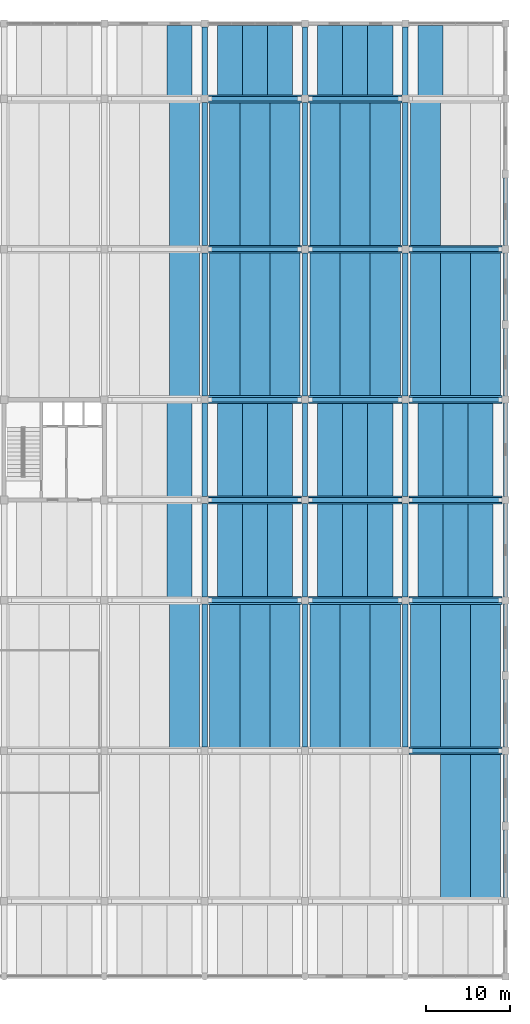
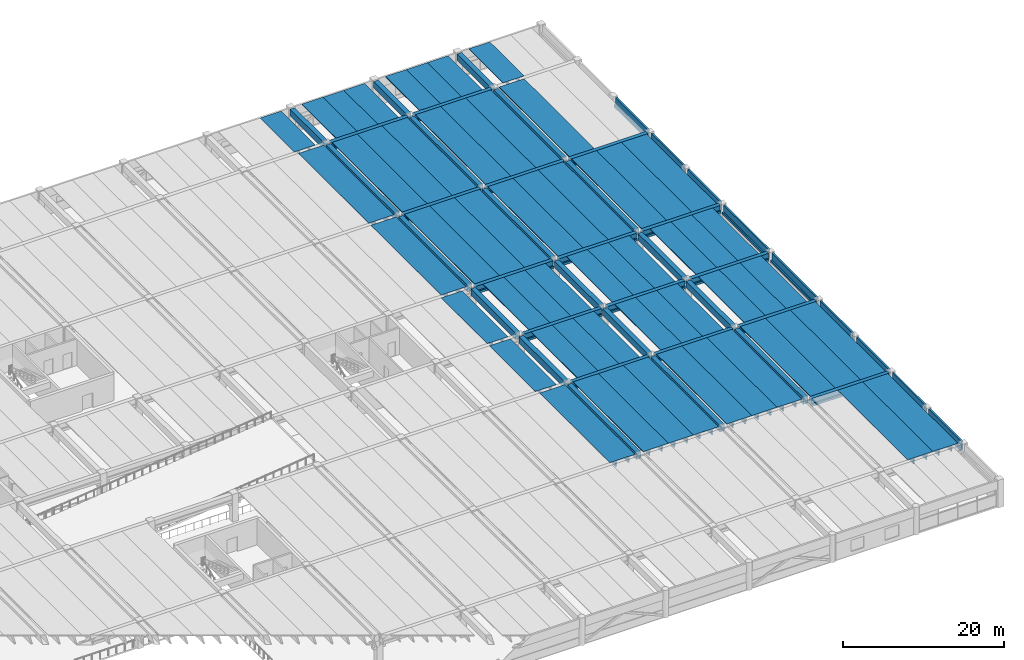
# One storey, part 26 of 50: 100 beams.
"""IFC4 building model written with IfcOpenShell, lengths in metres."""

from ifc_helpers import new_model, si_unit, direction, frame, origin, origin_2d, place, context, subcontext, project, spatial, polyline, rectangle, outline, extrude, material, material_profile, profile_set, type_object, element, save


model = new_model("IFC4")

# Units and contexts
model_context = context("Model", 3, precision=1e-05, world=origin(), true_north=direction((0.0, 1.0)))
body_context = subcontext(model_context, "Body", "Model", "MODEL_VIEW")
ifc_project = project(units=[si_unit("LENGTHUNIT", "METRE"), si_unit("AREAUNIT", "SQUARE_METRE"), si_unit("VOLUMEUNIT", "CUBIC_METRE"), si_unit("PLANEANGLEUNIT", "RADIAN"), si_unit("MASSUNIT", "GRAM", prefix="KILO")], contexts=[model_context])

# Site, building, storey
site_placement = place(None, origin())
site = spatial("IfcSite", under=ifc_project, at=site_placement, CompositionType="ELEMENT")
building_placement = place(site_placement, origin())
building = spatial("IfcBuilding", under=site, at=building_placement, Name="Girod Span Mobility Hub", CompositionType="ELEMENT")
storey_placement = place(building_placement, frame((0.0, 0.0, 5.39990234375)))
storey = spatial("IfcBuildingStorey", under=building, at=storey_placement, Name="L01", CompositionType="ELEMENT", Elevation=5.39990234375)

# Beams
ifc_material_1 = material(Name="Concrete C50/60", Category="concrete")
ifc_material_profile_1 = material_profile(ifc_material_1, outline(polyline([(-1.5, 0.35009765625), (-1.5, 0.2548828125), (-0.840087890625, 0.2548828125), (-0.81494140625, -0.35009765625), (-0.68505859375, -0.35009765625), (-0.659912109375, 0.2548828125), (0.659912109375, 0.2548828125), (0.68505859375, -0.35009765625), (0.81494140625, -0.35009765625), (0.840087890625, 0.2548828125), (1.5, 0.2548828125), (1.5, 0.35009765625), (-1.5, 0.35009765625)])), Name="DT-3000X700")
ifc_profile_set_1 = profile_set([ifc_material_profile_1], Name="Concrete C50/60")
beam_type_1 = type_object("IfcBeamType", Name="BM-DT-3000X700", PredefinedType="JOIST", material=ifc_profile_set_1)
for number, where, z_axis, x_axis, name in (
    (1, (129.0, 45.27197265625, 3.690185546875), (0.0, 1.0, 0.0), (-1.0, 0.0, 0.0), "Double-Tee Deck 11/D-3 L01"),
    (2, (129.0, 57.27197265625, 3.690185546875), (0.0, 1.0, 0.0), (-1.0, 0.0, 0.0), "Double-Tee Deck 11/E-3 L01"),
):
    element("IfcBeam", number, at=place(storey_placement, frame(where, z_axis=z_axis, x_axis=x_axis)), inside=storey, type_object=beam_type_1, Name=name, PredefinedType="JOIST", context=body_context, shape_type="SweptSolid", body=[
        extrude(outline(polyline([(-1.5, 0.35009765625), (-1.5, 0.2548828125), (-0.840087890625, 0.2548828125), (-0.81494140625, -0.35009765625), (-0.68505859375, -0.35009765625), (-0.659912109375, 0.2548828125), (0.659912109375, 0.2548828125), (0.68505859375, -0.35009765625), (0.81494140625, -0.35009765625), (0.840087890625, 0.2548828125), (1.5, 0.2548828125), (1.5, 0.35009765625), (-1.5, 0.35009765625)])), origin(), (0.0, 0.0, 1.0), 11.4560546875),
    ])
beam_1_placement = place(storey_placement, frame((129.0, 105.27197265625, 3.690185546875), z_axis=(0.0, 1.0, 0.0), x_axis=(-1.0, 0.0, 0.0)))
element("IfcBeam", 3, at=beam_1_placement, inside=storey, type_object=beam_type_1, Name="Double-Tee Deck 11/H-3 L01", PredefinedType="JOIST", context=body_context, shape_type="SweptSolid", body=[
    extrude(outline(polyline([(-1.5, 0.35009765625), (-1.5, 0.2548828125), (-0.840087890625, 0.2548828125), (-0.81494140625, -0.35009765625), (-0.68505859375, -0.35009765625), (-0.659912109375, 0.2548828125), (0.659912109375, 0.2548828125), (0.68505859375, -0.35009765625), (0.81494140625, -0.35009765625), (0.840087890625, 0.2548828125), (1.5, 0.2548828125), (1.5, 0.35009765625), (-1.5, 0.35009765625)])), origin(), (0.0, 0.0, 1.0), 8.506103515625),
])
for number, where, z_axis, x_axis, name in (
    (4, (135.0, 45.27197265625, 3.690185546875), (0.0, 1.0, 0.0), (-1.0, 0.0, 0.0), "Double-Tee Deck 12/D-1 L01"),
    (5, (138.0, 45.27197265625, 3.690185546875), (0.0, 1.0, 0.0), (-1.0, 0.0, 0.0), "Double-Tee Deck 12/D-2 L01"),
    (6, (141.0, 45.27197265625, 3.690185546875), (0.0, 1.0, 0.0), (-1.0, 0.0, 0.0), "Double-Tee Deck 12/D-3 L01"),
    (7, (135.0, 57.27197265625, 3.690185546875), (0.0, 1.0, 0.0), (-1.0, 0.0, 0.0), "Double-Tee Deck 12/E-1 L01"),
    (8, (138.0, 57.27197265625, 3.690185546875), (0.0, 1.0, 0.0), (-1.0, 0.0, 0.0), "Double-Tee Deck 12/E-2 L01"),
    (9, (141.0, 57.27197265625, 3.690185546875), (0.0, 1.0, 0.0), (-1.0, 0.0, 0.0), "Double-Tee Deck 12/E-3 L01"),
):
    element("IfcBeam", number, at=place(storey_placement, frame(where, z_axis=z_axis, x_axis=x_axis)), inside=storey, type_object=beam_type_1, Name=name, PredefinedType="JOIST", context=body_context, shape_type="SweptSolid", body=[
        extrude(outline(polyline([(-1.5, 0.35009765625), (-1.5, 0.2548828125), (-0.840087890625, 0.2548828125), (-0.81494140625, -0.35009765625), (-0.68505859375, -0.35009765625), (-0.659912109375, 0.2548828125), (0.659912109375, 0.2548828125), (0.68505859375, -0.35009765625), (0.81494140625, -0.35009765625), (0.840087890625, 0.2548828125), (1.5, 0.2548828125), (1.5, 0.35009765625), (-1.5, 0.35009765625)])), origin(), (0.0, 0.0, 1.0), 11.4560546875),
    ])
for number, where, z_axis, x_axis, name in (
    (10, (135.0, 105.27197265625, 3.690185546875), (0.0, 1.0, 0.0), (-1.0, 0.0, 0.0), "Double-Tee Deck 12/H-1 L01"),
    (11, (138.0, 105.27197265625, 3.690185546875), (0.0, 1.0, 0.0), (-1.0, 0.0, 0.0), "Double-Tee Deck 12/H-2 L01"),
    (12, (141.0, 105.27197265625, 3.690185546875), (0.0, 1.0, 0.0), (-1.0, 0.0, 0.0), "Double-Tee Deck 12/H-3 L01"),
):
    element("IfcBeam", number, at=place(storey_placement, frame(where, z_axis=z_axis, x_axis=x_axis)), inside=storey, type_object=beam_type_1, Name=name, PredefinedType="JOIST", context=body_context, shape_type="SweptSolid", body=[
        extrude(outline(polyline([(-1.5, 0.35009765625), (-1.5, 0.2548828125), (-0.840087890625, 0.2548828125), (-0.81494140625, -0.35009765625), (-0.68505859375, -0.35009765625), (-0.659912109375, 0.2548828125), (0.659912109375, 0.2548828125), (0.68505859375, -0.35009765625), (0.81494140625, -0.35009765625), (0.840087890625, 0.2548828125), (1.5, 0.2548828125), (1.5, 0.35009765625), (-1.5, 0.35009765625)])), origin(), (0.0, 0.0, 1.0), 8.506103515625),
    ])
for number, where, z_axis, x_axis, name in (
    (13, (147.0, 45.27197265625, 3.690185546875), (0.0, 1.0, 0.0), (-1.0, 0.0, 0.0), "Double-Tee Deck 13/D-1 L01"),
    (14, (150.0, 45.27197265625, 3.690185546875), (0.0, 1.0, 0.0), (-1.0, 0.0, 0.0), "Double-Tee Deck 13/D-2 L01"),
    (15, (153.0, 45.27197265625, 3.690185546875), (0.0, 1.0, 0.0), (-1.0, 0.0, 0.0), "Double-Tee Deck 13/D-3 L01"),
    (16, (147.0, 57.27197265625, 3.690185546875), (0.0, 1.0, 0.0), (-1.0, 0.0, 0.0), "Double-Tee Deck 13/E-1 L01"),
    (17, (150.0, 57.27197265625, 3.690185546875), (0.0, 1.0, 0.0), (-1.0, 0.0, 0.0), "Double-Tee Deck 13/E-2 L01"),
    (18, (153.0, 57.27197265625, 3.690185546875), (0.0, 1.0, 0.0), (-1.0, 0.0, 0.0), "Double-Tee Deck 13/E-3 L01"),
):
    element("IfcBeam", number, at=place(storey_placement, frame(where, z_axis=z_axis, x_axis=x_axis)), inside=storey, type_object=beam_type_1, Name=name, PredefinedType="JOIST", context=body_context, shape_type="SweptSolid", body=[
        extrude(outline(polyline([(-1.5, 0.35009765625), (-1.5, 0.2548828125), (-0.840087890625, 0.2548828125), (-0.81494140625, -0.35009765625), (-0.68505859375, -0.35009765625), (-0.659912109375, 0.2548828125), (0.659912109375, 0.2548828125), (0.68505859375, -0.35009765625), (0.81494140625, -0.35009765625), (0.840087890625, 0.2548828125), (1.5, 0.2548828125), (1.5, 0.35009765625), (-1.5, 0.35009765625)])), origin(), (0.0, 0.0, 1.0), 11.4560546875),
    ])
for number, where, z_axis, x_axis, name in (
    (19, (147.0, 105.27197265625, 3.690185546875), (0.0, 1.0, 0.0), (-1.0, 0.0, 0.0), "Double-Tee Deck 13/H-1 L01"),
    (20, (150.0, 105.27197265625, 3.690185546875), (0.0, 1.0, 0.0), (-1.0, 0.0, 0.0), "Double-Tee Deck 13/H-2 L01"),
    (21, (153.0, 105.27197265625, 3.690185546875), (0.0, 1.0, 0.0), (-1.0, 0.0, 0.0), "Double-Tee Deck 13/H-3 L01"),
):
    element("IfcBeam", number, at=place(storey_placement, frame(where, z_axis=z_axis, x_axis=x_axis)), inside=storey, type_object=beam_type_1, Name=name, PredefinedType="JOIST", context=body_context, shape_type="SweptSolid", body=[
        extrude(outline(polyline([(-1.5, 0.35009765625), (-1.5, 0.2548828125), (-0.840087890625, 0.2548828125), (-0.81494140625, -0.35009765625), (-0.68505859375, -0.35009765625), (-0.659912109375, 0.2548828125), (0.659912109375, 0.2548828125), (0.68505859375, -0.35009765625), (0.81494140625, -0.35009765625), (0.840087890625, 0.2548828125), (1.5, 0.2548828125), (1.5, 0.35009765625), (-1.5, 0.35009765625)])), origin(), (0.0, 0.0, 1.0), 8.506103515625),
    ])
for number, where, z_axis, x_axis, name in (
    (22, (159.0, 45.27197265625, 3.690185546875), (0.0, 1.0, 0.0), (-1.0, 0.0, 0.0), "Double-Tee Deck 14/D-1 L01"),
    (23, (162.0, 45.27197265625, 3.690185546875), (0.0, 1.0, 0.0), (-1.0, 0.0, 0.0), "Double-Tee Deck 14/D-2 L01"),
    (24, (165.0, 45.27197265625, 3.690185546875), (0.0, 1.0, 0.0), (-1.0, 0.0, 0.0), "Double-Tee Deck 14/D-3 L01"),
    (25, (159.0, 57.27197265625, 3.690185546875), (0.0, 1.0, 0.0), (-1.0, 0.0, 0.0), "Double-Tee Deck 14/E-1 L01"),
    (26, (162.0, 57.27197265625, 3.690185546875), (0.0, 1.0, 0.0), (-1.0, 0.0, 0.0), "Double-Tee Deck 14/E-2 L01"),
    (27, (165.0, 57.27197265625, 3.690185546875), (0.0, 1.0, 0.0), (-1.0, 0.0, 0.0), "Double-Tee Deck 14/E-3 L01"),
):
    element("IfcBeam", number, at=place(storey_placement, frame(where, z_axis=z_axis, x_axis=x_axis)), inside=storey, type_object=beam_type_1, Name=name, PredefinedType="JOIST", context=body_context, shape_type="SweptSolid", body=[
        extrude(outline(polyline([(-1.5, 0.35009765625), (-1.5, 0.2548828125), (-0.840087890625, 0.2548828125), (-0.81494140625, -0.35009765625), (-0.68505859375, -0.35009765625), (-0.659912109375, 0.2548828125), (0.659912109375, 0.2548828125), (0.68505859375, -0.35009765625), (0.81494140625, -0.35009765625), (0.840087890625, 0.2548828125), (1.5, 0.2548828125), (1.5, 0.35009765625), (-1.5, 0.35009765625)])), origin(), (0.0, 0.0, 1.0), 11.4560546875),
    ])
beam_2_placement = place(storey_placement, frame((159.0, 105.27197265625, 3.690185546875), z_axis=(0.0, 1.0, 0.0), x_axis=(-1.0, 0.0, 0.0)))
element("IfcBeam", 28, at=beam_2_placement, inside=storey, type_object=beam_type_1, Name="Double-Tee Deck 14/H-1 L01", PredefinedType="JOIST", context=body_context, shape_type="SweptSolid", body=[
    extrude(outline(polyline([(-1.5, 0.35009765625), (-1.5, 0.2548828125), (-0.840087890625, 0.2548828125), (-0.81494140625, -0.35009765625), (-0.68505859375, -0.35009765625), (-0.659912109375, 0.2548828125), (0.659912109375, 0.2548828125), (0.68505859375, -0.35009765625), (0.81494140625, -0.35009765625), (0.840087890625, 0.2548828125), (1.5, 0.2548828125), (1.5, 0.35009765625), (-1.5, 0.35009765625)])), origin(), (0.0, 0.0, 1.0), 8.506103515625),
])
ifc_material_2 = material(Name="Concrete C50/60", Category="concrete")
ifc_material_profile_2 = material_profile(ifc_material_2, outline(polyline([(-1.800048828125, 0.47509765625), (-1.800048828125, 0.364990234375), (-1.010009765625, 0.364990234375), (-0.97509765625, -0.47509765625), (-0.824951171875, -0.47509765625), (-0.7900390625, 0.364990234375), (0.7900390625, 0.364990234375), (0.824951171875, -0.47509765625), (0.97509765625, -0.47509765625), (1.010009765625, 0.364990234375), (1.800048828125, 0.364990234375), (1.800048828125, 0.47509765625), (-1.800048828125, 0.47509765625)])), Name="DT-3600X950")
ifc_profile_set_2 = profile_set([ifc_material_profile_2], Name="Concrete C50/60")
beam_type_2 = type_object("IfcBeamType", Name="BM-DT-3600X950", PredefinedType="JOIST", material=ifc_profile_set_2)
for number, where, z_axis, x_axis, name in (
    (29, (129.60009765625, 27.27197265625, 3.565185546875), (0.0, 1.0, 0.0), (-1.0, 0.0, 0.0), "Double-Tee Deck 11/C-3 L01"),
    (30, (129.60009765625, 69.27197265625, 3.565185546875), (0.0, 1.0, 0.0), (-1.0, 0.0, 0.0), "Double-Tee Deck 11/F-3 L01"),
    (31, (129.60009765625, 87.27197265625, 3.565185546875), (0.0, 1.0, 0.0), (-1.0, 0.0, 0.0), "Double-Tee Deck 11/G-3 L01"),
    (32, (134.39990234375, 27.27197265625, 3.565185546875), (0.0, 1.0, 0.0), (-1.0, 0.0, 0.0), "Double-Tee Deck 12/C-1 L01"),
    (33, (138.0, 27.27197265625, 3.565185546875), (0.0, 1.0, 0.0), (-1.0, 0.0, 0.0), "Double-Tee Deck 12/C-2 L01"),
    (34, (141.60009765625, 27.27197265625, 3.565185546875), (0.0, 1.0, 0.0), (-1.0, 0.0, 0.0), "Double-Tee Deck 12/C-3 L01"),
    (35, (134.39990234375, 69.27197265625, 3.565185546875), (0.0, 1.0, 0.0), (-1.0, 0.0, 0.0), "Double-Tee Deck 12/F-1 L01"),
    (36, (138.0, 69.27197265625, 3.565185546875), (0.0, 1.0, 0.0), (-1.0, 0.0, 0.0), "Double-Tee Deck 12/F-2 L01"),
    (37, (141.60009765625, 69.27197265625, 3.565185546875), (0.0, 1.0, 0.0), (-1.0, 0.0, 0.0), "Double-Tee Deck 12/F-3 L01"),
    (38, (134.39990234375, 87.27197265625, 3.565185546875), (0.0, 1.0, 0.0), (-1.0, 0.0, 0.0), "Double-Tee Deck 12/G-1 L01"),
    (39, (138.0, 87.27197265625, 3.565185546875), (0.0, 1.0, 0.0), (-1.0, 0.0, 0.0), "Double-Tee Deck 12/G-2 L01"),
    (40, (141.60009765625, 87.27197265625, 3.565185546875), (0.0, 1.0, 0.0), (-1.0, 0.0, 0.0), "Double-Tee Deck 12/G-3 L01"),
    (41, (146.39990234375, 27.27197265625, 3.565185546875), (0.0, 1.0, 0.0), (-1.0, 0.0, 0.0), "Double-Tee Deck 13/C-1 L01"),
    (42, (150.0, 27.27197265625, 3.565185546875), (0.0, 1.0, 0.0), (-1.0, 0.0, 0.0), "Double-Tee Deck 13/C-2 L01"),
    (43, (153.60009765625, 27.27197265625, 3.565185546875), (0.0, 1.0, 0.0), (-1.0, 0.0, 0.0), "Double-Tee Deck 13/C-3 L01"),
    (44, (146.39990234375, 69.27197265625, 3.565185546875), (0.0, 1.0, 0.0), (-1.0, 0.0, 0.0), "Double-Tee Deck 13/F-1 L01"),
    (45, (150.0, 69.27197265625, 3.565185546875), (0.0, 1.0, 0.0), (-1.0, 0.0, 0.0), "Double-Tee Deck 13/F-2 L01"),
    (46, (153.60009765625, 69.27197265625, 3.565185546875), (0.0, 1.0, 0.0), (-1.0, 0.0, 0.0), "Double-Tee Deck 13/F-3 L01"),
    (47, (146.39990234375, 87.27197265625, 3.565185546875), (0.0, 1.0, 0.0), (-1.0, 0.0, 0.0), "Double-Tee Deck 13/G-1 L01"),
    (48, (150.0, 87.27197265625, 3.565185546875), (0.0, 1.0, 0.0), (-1.0, 0.0, 0.0), "Double-Tee Deck 13/G-2 L01"),
    (49, (153.60009765625, 87.27197265625, 3.565185546875), (0.0, 1.0, 0.0), (-1.0, 0.0, 0.0), "Double-Tee Deck 13/G-3 L01"),
    (50, (162.0, 9.27197265625, 3.565185546875), (0.0, 1.0, 0.0), (-1.0, 0.0, 0.0), "Double-Tee Deck 14/B-2 L01"),
    (51, (165.60009765625, 9.27197265625, 3.565185546875), (0.0, 1.0, 0.0), (-1.0, 0.0, 0.0), "Double-Tee Deck 14/B-3 L01"),
    (52, (158.39990234375, 27.27197265625, 3.565185546875), (0.0, 1.0, 0.0), (-1.0, 0.0, 0.0), "Double-Tee Deck 14/C-1 L01"),
    (53, (162.0, 27.27197265625, 3.565185546875), (0.0, 1.0, 0.0), (-1.0, 0.0, 0.0), "Double-Tee Deck 14/C-2 L01"),
    (54, (165.60009765625, 27.27197265625, 3.565185546875), (0.0, 1.0, 0.0), (-1.0, 0.0, 0.0), "Double-Tee Deck 14/C-3 L01"),
    (55, (158.39990234375, 69.27197265625, 3.565185546875), (0.0, 1.0, 0.0), (-1.0, 0.0, 0.0), "Double-Tee Deck 14/F-1 L01"),
    (56, (162.0, 69.27197265625, 3.565185546875), (0.0, 1.0, 0.0), (-1.0, 0.0, 0.0), "Double-Tee Deck 14/F-2 L01"),
    (57, (165.60009765625, 69.27197265625, 3.565185546875), (0.0, 1.0, 0.0), (-1.0, 0.0, 0.0), "Double-Tee Deck 14/F-3 L01"),
    (58, (158.39990234375, 87.27197265625, 3.565185546875), (0.0, 1.0, 0.0), (-1.0, 0.0, 0.0), "Double-Tee Deck 14/G-1 L01"),
):
    element("IfcBeam", number, at=place(storey_placement, frame(where, z_axis=z_axis, x_axis=x_axis)), inside=storey, type_object=beam_type_2, Name=name, PredefinedType="JOIST", context=body_context, shape_type="SweptSolid", body=[
        extrude(outline(polyline([(-1.800048828125, 0.47509765625), (-1.800048828125, 0.364990234375), (-1.010009765625, 0.364990234375), (-0.97509765625, -0.47509765625), (-0.824951171875, -0.47509765625), (-0.7900390625, 0.364990234375), (0.7900390625, 0.364990234375), (0.824951171875, -0.47509765625), (0.97509765625, -0.47509765625), (1.010009765625, 0.364990234375), (1.800048828125, 0.364990234375), (1.800048828125, 0.47509765625), (-1.800048828125, 0.47509765625)])), origin(), (0.0, 0.0, 1.0), 17.4560546875),
    ])
ifc_material_3 = material(Name="Concrete C50/60", Category="concrete")
ifc_material_profile_3 = material_profile(ifc_material_3, outline(polyline([(-0.47509765625, -0.52490234375), (0.47509765625, -0.52490234375), (0.47509765625, -0.175048828125), (0.27490234375, -0.175048828125), (0.27490234375, 0.52490234375), (-0.27490234375, 0.52490234375), (-0.27490234375, -0.175048828125), (-0.47509765625, -0.175048828125), (-0.47509765625, -0.52490234375)])), Name="IT-950X1050")
ifc_profile_set_3 = profile_set([ifc_material_profile_3], Name="Concrete C50/60")
beam_type_3 = type_object("IfcBeamType", Name="BM-IT-950X1050", PredefinedType="T_BEAM", material=ifc_profile_set_3)
for number, where, z_axis, x_axis, name in (
    (59, (156.422119140625, 27.0, 3.51513671875), (1.0, 0.0, 0.0), (0.0, 1.0, 0.0), "Girder 14-15/C L01"),
    (60, (132.422119140625, 45.0, 3.51513671875), (1.0, 0.0, 0.0), (0.0, 1.0, 0.0), "Girder 12-13/D L01"),
    (61, (144.422119140625, 45.0, 3.51513671875), (1.0, 0.0, 0.0), (0.0, 1.0, 0.0), "Girder 13-14/D L01"),
    (62, (156.422119140625, 45.0, 3.51513671875), (1.0, 0.0, 0.0), (0.0, 1.0, 0.0), "Girder 14-15/D L01"),
    (63, (132.422119140625, 57.0, 3.51513671875), (1.0, 0.0, 0.0), (0.0, 1.0, 0.0), "Girder 12-13/E L01"),
    (64, (144.422119140625, 57.0, 3.51513671875), (1.0, 0.0, 0.0), (0.0, 1.0, 0.0), "Girder 13-14/E L01"),
    (65, (156.422119140625, 57.0, 3.51513671875), (1.0, 0.0, 0.0), (0.0, 1.0, 0.0), "Girder 14-15/E L01"),
    (66, (132.422119140625, 69.0, 3.51513671875), (1.0, 0.0, 0.0), (0.0, 1.0, 0.0), "Girder 12-13/F L01"),
    (67, (144.422119140625, 69.0, 3.51513671875), (1.0, 0.0, 0.0), (0.0, 1.0, 0.0), "Girder 13-14/F L01"),
    (68, (156.422119140625, 69.0, 3.51513671875), (1.0, 0.0, 0.0), (0.0, 1.0, 0.0), "Girder 14-15/F L01"),
    (69, (132.422119140625, 87.0, 3.51513671875), (1.0, 0.0, 0.0), (0.0, 1.0, 0.0), "Girder 12-13/G L01"),
    (70, (144.422119140625, 87.0, 3.51513671875), (1.0, 0.0, 0.0), (0.0, 1.0, 0.0), "Girder 13-14/G L01"),
    (71, (156.422119140625, 87.0, 3.51513671875), (1.0, 0.0, 0.0), (0.0, 1.0, 0.0), "Girder 14-15/G L01"),
    (72, (132.422119140625, 105.0, 3.51513671875), (1.0, 0.0, 0.0), (0.0, 1.0, 0.0), "Girder 12-13/H L01"),
    (73, (144.422119140625, 105.0, 3.51513671875), (1.0, 0.0, 0.0), (0.0, 1.0, 0.0), "Girder 13-14/H L01"),
):
    element("IfcBeam", number, at=place(storey_placement, frame(where, z_axis=z_axis, x_axis=x_axis)), inside=storey, type_object=beam_type_3, Name=name, PredefinedType="T_BEAM", context=body_context, shape_type="SweptSolid", body=[
        extrude(outline(polyline([(-0.47509765625, -0.52490234375), (0.47509765625, -0.52490234375), (0.47509765625, -0.175048828125), (0.27490234375, -0.175048828125), (0.27490234375, 0.52490234375), (-0.27490234375, 0.52490234375), (-0.27490234375, -0.175048828125), (-0.47509765625, -0.175048828125), (-0.47509765625, -0.52490234375)])), origin(), (0.0, 0.0, 1.0), 11.15576171875),
    ])
ifc_material_4 = material(Name="Concrete C40/50", Category="concrete")
ifc_material_profile_4 = material_profile(ifc_material_4, outline(polyline([(-0.22509765625, -0.675048828125), (0.22509765625, -0.675048828125), (0.22509765625, -0.324951171875), (0.02490234375, -0.324951171875), (0.02490234375, 0.675048828125), (-0.22509765625, 0.675048828125), (-0.22509765625, -0.675048828125)])), Name="SP-450X1350")
ifc_profile_set_4 = profile_set([ifc_material_profile_4], Name="Concrete C40/50")
beam_type_4 = type_object("IfcBeamType", Name="BM-SP-450X1350", PredefinedType="SPANDREL", material=ifc_profile_set_4)
for number, where, z_axis, x_axis, name in (
    (74, (168.0, 9.422119140625, 3.364990234375), (0.0, 1.0, 0.0), (-1.0, 0.0, 0.0), "Perimeter Spandrel 15/B-S L01"),
    (75, (168.0, 18.471923828125, 3.364990234375), (0.0, 1.0, 0.0), (-1.0, 0.0, 0.0), "Perimeter Spandrel 15/B-N L01"),
    (76, (168.0, 27.422119140625, 3.364990234375), (0.0, 1.0, 0.0), (-1.0, 0.0, 0.0), "Perimeter Spandrel 15/C-S L01"),
    (77, (168.0, 36.471923828125, 3.364990234375), (0.0, 1.0, 0.0), (-1.0, 0.0, 0.0), "Perimeter Spandrel 15/C-N L01"),
):
    element("IfcBeam", number, at=place(storey_placement, frame(where, z_axis=z_axis, x_axis=x_axis)), inside=storey, type_object=beam_type_4, Name=name, PredefinedType="SPANDREL", context=body_context, shape_type="SweptSolid", body=[
        extrude(outline(polyline([(-0.22509765625, -0.675048828125), (0.22509765625, -0.675048828125), (0.22509765625, -0.324951171875), (0.02490234375, -0.324951171875), (0.02490234375, 0.675048828125), (-0.22509765625, 0.675048828125), (-0.22509765625, -0.675048828125)])), origin(), (0.0, 0.0, 1.0), 8.10595703125),
    ])
for number, where, z_axis, x_axis, name in (
    (78, (168.0, 45.422119140625, 3.364990234375), (0.0, 1.0, 0.0), (-1.0, 0.0, 0.0), "Tie Girder 15/D-E L01"),
    (79, (168.0, 57.422119140625, 3.364990234375), (0.0, 1.0, 0.0), (-1.0, 0.0, 0.0), "Tie Girder 15/E-F L01"),
):
    element("IfcBeam", number, at=place(storey_placement, frame(where, z_axis=z_axis, x_axis=x_axis)), inside=storey, type_object=beam_type_4, Name=name, PredefinedType="SPANDREL", context=body_context, shape_type="SweptSolid", body=[
        extrude(outline(polyline([(-0.22509765625, -0.675048828125), (0.22509765625, -0.675048828125), (0.22509765625, -0.324951171875), (0.02490234375, -0.324951171875), (0.02490234375, 0.675048828125), (-0.22509765625, 0.675048828125), (-0.22509765625, -0.675048828125)])), origin(), (0.0, 0.0, 1.0), 11.15576171875),
    ])
for number, where, z_axis, x_axis, name in (
    (80, (168.0, 69.422119140625, 3.364990234375), (0.0, 1.0, 0.0), (-1.0, 0.0, 0.0), "Perimeter Spandrel 15/F-S L01"),
    (81, (168.0, 78.471923828125, 3.364990234375), (0.0, 1.0, 0.0), (-1.0, 0.0, 0.0), "Perimeter Spandrel 15/F-N L01"),
    (82, (168.0, 87.422119140625, 3.364990234375), (0.0, 1.0, 0.0), (-1.0, 0.0, 0.0), "Perimeter Spandrel 15/G-S L01"),
):
    element("IfcBeam", number, at=place(storey_placement, frame(where, z_axis=z_axis, x_axis=x_axis)), inside=storey, type_object=beam_type_4, Name=name, PredefinedType="SPANDREL", context=body_context, shape_type="SweptSolid", body=[
        extrude(outline(polyline([(-0.22509765625, -0.675048828125), (0.22509765625, -0.675048828125), (0.22509765625, -0.324951171875), (0.02490234375, -0.324951171875), (0.02490234375, 0.675048828125), (-0.22509765625, 0.675048828125), (-0.22509765625, -0.675048828125)])), origin(), (0.0, 0.0, 1.0), 8.10595703125),
    ])
ifc_material_5 = material(Name="Concrete C40/50", Category="concrete")
ifc_material_profile_5 = material_profile(ifc_material_5, rectangle(XDim=0.64990234375, YDim=1.0, at=origin_2d()), Name="TG-650X1000")
ifc_profile_set_5 = profile_set([ifc_material_profile_5], Name="Concrete C40/50")
beam_type_5 = type_object("IfcBeamType", Name="BM-TG-650X1000", PredefinedType="T_BEAM", material=ifc_profile_set_5)
beam_3_placement = place(storey_placement, frame((132.0, 27.422119140625, 3.5400390625), z_axis=(0.0, 1.0, 0.0), x_axis=(-1.0, 0.0, 0.0)))
element("IfcBeam", 83, at=beam_3_placement, inside=storey, type_object=beam_type_5, Name="Tie Girder 12/C-D L01", PredefinedType="T_BEAM", context=body_context, shape_type="SweptSolid", body=[
    extrude(rectangle(XDim=0.64990234375, YDim=1.0, at=origin_2d()), origin(), (0.0, 0.0, 1.0), 17.15576171875),
])
for number, where, z_axis, x_axis, name in (
    (84, (132.0, 45.422119140625, 3.5400390625), (0.0, 1.0, 0.0), (-1.0, 0.0, 0.0), "Tie Girder 12/D-E L01"),
    (85, (132.0, 57.422119140625, 3.5400390625), (0.0, 1.0, 0.0), (-1.0, 0.0, 0.0), "Tie Girder 12/E-F L01"),
):
    element("IfcBeam", number, at=place(storey_placement, frame(where, z_axis=z_axis, x_axis=x_axis)), inside=storey, type_object=beam_type_5, Name=name, PredefinedType="T_BEAM", context=body_context, shape_type="SweptSolid", body=[
        extrude(rectangle(XDim=0.64990234375, YDim=1.0, at=origin_2d()), origin(), (0.0, 0.0, 1.0), 11.15576171875),
    ])
for number, where, z_axis, x_axis, name in (
    (86, (132.0, 69.422119140625, 3.5400390625), (0.0, 1.0, 0.0), (-1.0, 0.0, 0.0), "Tie Girder 12/F-G L01"),
    (87, (132.0, 87.422119140625, 3.5400390625), (0.0, 1.0, 0.0), (-1.0, 0.0, 0.0), "Tie Girder 12/G-H L01"),
):
    element("IfcBeam", number, at=place(storey_placement, frame(where, z_axis=z_axis, x_axis=x_axis)), inside=storey, type_object=beam_type_5, Name=name, PredefinedType="T_BEAM", context=body_context, shape_type="SweptSolid", body=[
        extrude(rectangle(XDim=0.64990234375, YDim=1.0, at=origin_2d()), origin(), (0.0, 0.0, 1.0), 17.15576171875),
    ])
beam_4_placement = place(storey_placement, frame((132.0, 105.422119140625, 3.5400390625), z_axis=(0.0, 1.0, 0.0), x_axis=(-1.0, 0.0, 0.0)))
element("IfcBeam", 88, at=beam_4_placement, inside=storey, type_object=beam_type_5, Name="Tie Girder 12/H-J L01", PredefinedType="T_BEAM", context=body_context, shape_type="SweptSolid", body=[
    extrude(rectangle(XDim=0.64990234375, YDim=1.0, at=origin_2d()), origin(), (0.0, 0.0, 1.0), 8.15576171875),
])
beam_5_placement = place(storey_placement, frame((144.0, 27.422119140625, 3.5400390625), z_axis=(0.0, 1.0, 0.0), x_axis=(-1.0, 0.0, 0.0)))
element("IfcBeam", 89, at=beam_5_placement, inside=storey, type_object=beam_type_5, Name="Tie Girder 13/C-D L01", PredefinedType="T_BEAM", context=body_context, shape_type="SweptSolid", body=[
    extrude(rectangle(XDim=0.64990234375, YDim=1.0, at=origin_2d()), origin(), (0.0, 0.0, 1.0), 17.15576171875),
])
for number, where, z_axis, x_axis, name in (
    (90, (144.0, 45.422119140625, 3.5400390625), (0.0, 1.0, 0.0), (-1.0, 0.0, 0.0), "Tie Girder 13/D-E L01"),
    (91, (144.0, 57.422119140625, 3.5400390625), (0.0, 1.0, 0.0), (-1.0, 0.0, 0.0), "Tie Girder 13/E-F L01"),
):
    element("IfcBeam", number, at=place(storey_placement, frame(where, z_axis=z_axis, x_axis=x_axis)), inside=storey, type_object=beam_type_5, Name=name, PredefinedType="T_BEAM", context=body_context, shape_type="SweptSolid", body=[
        extrude(rectangle(XDim=0.64990234375, YDim=1.0, at=origin_2d()), origin(), (0.0, 0.0, 1.0), 11.15576171875),
    ])
for number, where, z_axis, x_axis, name in (
    (92, (144.0, 69.422119140625, 3.5400390625), (0.0, 1.0, 0.0), (-1.0, 0.0, 0.0), "Tie Girder 13/F-G L01"),
    (93, (144.0, 87.422119140625, 3.5400390625), (0.0, 1.0, 0.0), (-1.0, 0.0, 0.0), "Tie Girder 13/G-H L01"),
):
    element("IfcBeam", number, at=place(storey_placement, frame(where, z_axis=z_axis, x_axis=x_axis)), inside=storey, type_object=beam_type_5, Name=name, PredefinedType="T_BEAM", context=body_context, shape_type="SweptSolid", body=[
        extrude(rectangle(XDim=0.64990234375, YDim=1.0, at=origin_2d()), origin(), (0.0, 0.0, 1.0), 17.15576171875),
    ])
beam_6_placement = place(storey_placement, frame((144.0, 105.422119140625, 3.5400390625), z_axis=(0.0, 1.0, 0.0), x_axis=(-1.0, 0.0, 0.0)))
element("IfcBeam", 94, at=beam_6_placement, inside=storey, type_object=beam_type_5, Name="Tie Girder 13/H-J L01", PredefinedType="T_BEAM", context=body_context, shape_type="SweptSolid", body=[
    extrude(rectangle(XDim=0.64990234375, YDim=1.0, at=origin_2d()), origin(), (0.0, 0.0, 1.0), 8.15576171875),
])
beam_7_placement = place(storey_placement, frame((156.0, 27.422119140625, 3.5400390625), z_axis=(0.0, 1.0, 0.0), x_axis=(-1.0, 0.0, 0.0)))
element("IfcBeam", 95, at=beam_7_placement, inside=storey, type_object=beam_type_5, Name="Tie Girder 14/C-D L01", PredefinedType="T_BEAM", context=body_context, shape_type="SweptSolid", body=[
    extrude(rectangle(XDim=0.64990234375, YDim=1.0, at=origin_2d()), origin(), (0.0, 0.0, 1.0), 17.15576171875),
])
for number, where, z_axis, x_axis, name in (
    (96, (156.0, 45.422119140625, 3.5400390625), (0.0, 1.0, 0.0), (-1.0, 0.0, 0.0), "Tie Girder 14/D-E L01"),
    (97, (156.0, 57.422119140625, 3.5400390625), (0.0, 1.0, 0.0), (-1.0, 0.0, 0.0), "Tie Girder 14/E-F L01"),
):
    element("IfcBeam", number, at=place(storey_placement, frame(where, z_axis=z_axis, x_axis=x_axis)), inside=storey, type_object=beam_type_5, Name=name, PredefinedType="T_BEAM", context=body_context, shape_type="SweptSolid", body=[
        extrude(rectangle(XDim=0.64990234375, YDim=1.0, at=origin_2d()), origin(), (0.0, 0.0, 1.0), 11.15576171875),
    ])
for number, where, z_axis, x_axis, name in (
    (98, (156.0, 69.422119140625, 3.5400390625), (0.0, 1.0, 0.0), (-1.0, 0.0, 0.0), "Tie Girder 14/F-G L01"),
    (99, (156.0, 87.422119140625, 3.5400390625), (0.0, 1.0, 0.0), (-1.0, 0.0, 0.0), "Tie Girder 14/G-H L01"),
):
    element("IfcBeam", number, at=place(storey_placement, frame(where, z_axis=z_axis, x_axis=x_axis)), inside=storey, type_object=beam_type_5, Name=name, PredefinedType="T_BEAM", context=body_context, shape_type="SweptSolid", body=[
        extrude(rectangle(XDim=0.64990234375, YDim=1.0, at=origin_2d()), origin(), (0.0, 0.0, 1.0), 17.15576171875),
    ])
beam_8_placement = place(storey_placement, frame((156.0, 105.422119140625, 3.5400390625), z_axis=(0.0, 1.0, 0.0), x_axis=(-1.0, 0.0, 0.0)))
element("IfcBeam", 100, at=beam_8_placement, inside=storey, type_object=beam_type_5, Name="Tie Girder 14/H-J L01", PredefinedType="T_BEAM", context=body_context, shape_type="SweptSolid", body=[
    extrude(rectangle(XDim=0.64990234375, YDim=1.0, at=origin_2d()), origin(), (0.0, 0.0, 1.0), 8.15576171875),
])

save(model, "model.ifc")
